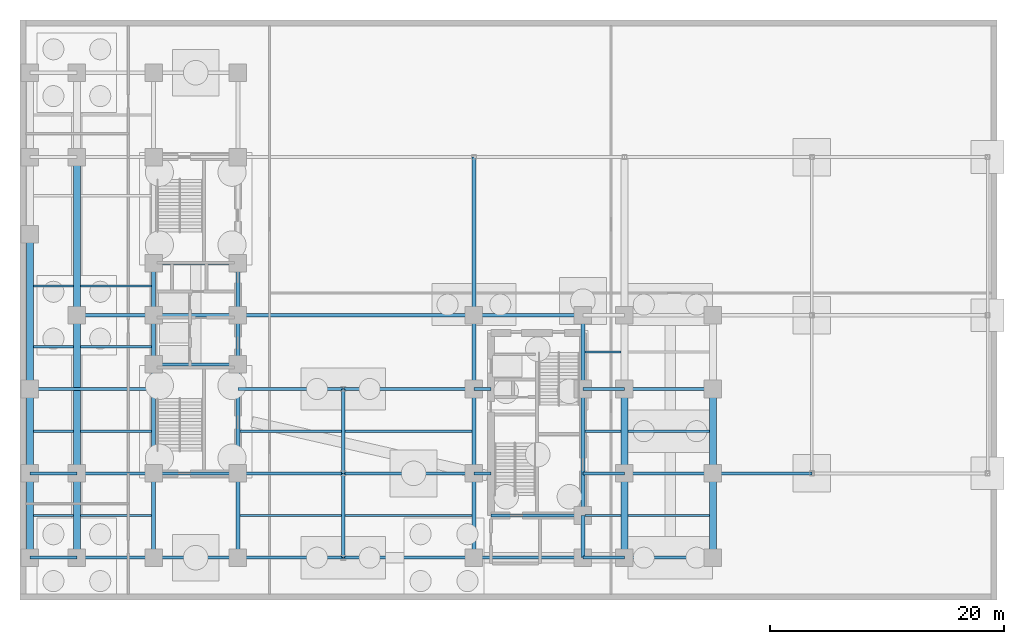
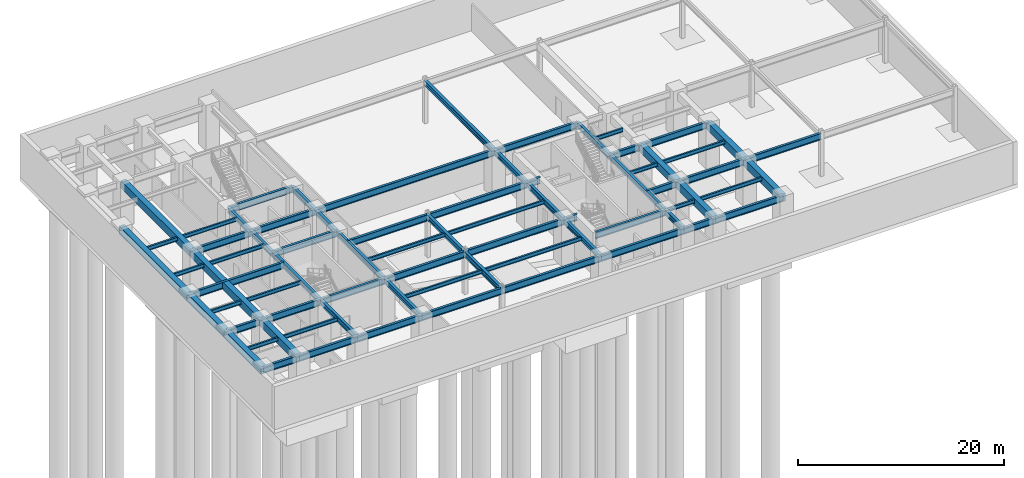
# One storey, part 4 of 11: 74 beams.
"""IFC4 building model written with IfcOpenShell, lengths in metres."""

import ifcopenshell
import ifcopenshell.guid

model = None  # the IFC model being written
_history = None  # IfcOwnerHistory: only IFC2X3 demands one
_inside = {}  # id of a spatial element -> (the spatial element, [elements in it])
_under = {}  # id of a project, library or spatial element -> (it, [spatial elements below it])
_declared = {}  # id of a project -> (the project, [libraries it declares])
_typed = {}  # id of a type object -> (the type object, [elements of that type])
_made_of = {}  # id of a material, layer set ... -> (it, [elements and type objects made of it])


def new_model(schema):
    """Start an empty IFC model of exactly this schema.

    Asked for "IFC4X3", IfcOpenShell would pick the latest addendum, in which some entities
    have other attributes; the version numbers below select the first issue.
    IFC2X3 requires an IfcOwnerHistory on every rooted entity: one is made here for all.
    """
    global model, _history
    if schema == "IFC4X3":
        model = ifcopenshell.file(schema_version=(4, 3, 0, 0))
    else:
        model = ifcopenshell.file(schema=schema)
    _inside.clear()
    _under.clear()
    _declared.clear()
    _typed.clear()
    _made_of.clear()
    _history = None
    if model.schema == "IFC2X3":
        org = make("IfcOrganization", Name="unknown")
        user = make(
            "IfcPersonAndOrganization",
            ThePerson=make("IfcPerson", FamilyName="unknown"),
            TheOrganization=org,
        )
        app = make(
            "IfcApplication",
            ApplicationDeveloper=org,
            Version="unknown",
            ApplicationFullName="unknown",
            ApplicationIdentifier="unknown",
        )
        _history = make(
            "IfcOwnerHistory",
            OwningUser=user,
            OwningApplication=app,
            ChangeAction="ADDED",
            CreationDate=0,
        )
    return model


def make(cls, **values):
    """One entity of the class cls with the attributes given. An attribute that is None is left unset."""
    return model.create_entity(
        cls, **{name: value for name, value in values.items() if value is not None}
    )


def entity(cls, *values):
    """Any entity or typed value of the class cls, its attributes in the order of the schema. None: left unset."""
    e = model.create_entity(cls)
    for i, value in enumerate(values):
        if value is not None:
            e[i] = value
    return e


def rooted(cls, **values):
    """An entity with a GlobalId (a new one), such as an element, a storey or a relation."""
    return make(cls, GlobalId=ifcopenshell.guid.new(), OwnerHistory=_history, **values)


def si_unit(unit_type, name, prefix=None):
    """IfcSIUnit, for example si_unit("LENGTHUNIT", "METRE", prefix="MILLI")."""
    return make("IfcSIUnit", UnitType=unit_type, Prefix=prefix, Name=name)


def converted_unit(unit_type, name, factor, base, dimensions=None, offset=None):
    """IfcConversionBasedUnit, such as the inch: factor (a typed value) times the base unit."""
    return make(
        "IfcConversionBasedUnit"
        if offset is None
        else "IfcConversionBasedUnitWithOffset",
        ConversionOffset=offset,
        Dimensions=None
        if dimensions is None
        else entity("IfcDimensionalExponents", *dimensions),
        UnitType=unit_type,
        Name=name,
        ConversionFactor=make(
            "IfcMeasureWithUnit", ValueComponent=factor, UnitComponent=base
        ),
    )


def assignment(units):
    """IfcUnitAssignment: the units of a project."""
    return None if units is None else make("IfcUnitAssignment", Units=units)


def point(xyz):
    """IfcCartesianPoint."""
    return None if xyz is None else make("IfcCartesianPoint", Coordinates=xyz)


def direction(xyz):
    """IfcDirection."""
    return None if xyz is None else make("IfcDirection", DirectionRatios=xyz)


def frame(location, z_axis=None, x_axis=None):
    """IfcAxis2Placement3D, a coordinate frame: its origin and axes. An axis left out is left unset."""
    return make(
        "IfcAxis2Placement3D",
        Location=point(location),
        Axis=direction(z_axis),
        RefDirection=direction(x_axis),
    )


def frame_2d(location, x_axis=None):
    """IfcAxis2Placement2D, a coordinate frame in the plane: its origin and x axis."""
    return make(
        "IfcAxis2Placement2D", Location=point(location), RefDirection=direction(x_axis)
    )


def origin_with_axes():
    """The frame at (0, 0, 0) with the z axis (0, 0, 1) and the x axis (1, 0, 0) written out."""
    return frame((0.0, 0.0, 0.0), z_axis=(0.0, 0.0, 1.0), x_axis=(1.0, 0.0, 0.0))


def origin_2d_with_axis():
    """The frame at (0, 0) in the plane with the x axis (1, 0) written out."""
    return frame_2d((0.0, 0.0), x_axis=(1.0, 0.0))


def place(relative_to, where):
    """IfcLocalPlacement: puts the frame where relative to a parent placement (None: the world)."""
    return make(
        "IfcLocalPlacement", PlacementRelTo=relative_to, RelativePlacement=where
    )


def context(
    kind, dimensions, precision=None, world=None, true_north=None, identifier=None
):
    """IfcGeometricRepresentationContext, for example the 3D "Model" context."""
    return make(
        "IfcGeometricRepresentationContext",
        ContextIdentifier=identifier,
        ContextType=kind,
        CoordinateSpaceDimension=dimensions,
        Precision=precision,
        WorldCoordinateSystem=world,
        TrueNorth=true_north,
    )


def subcontext(parent, identifier, kind, view, scale=None):
    """IfcGeometricRepresentationSubContext, for example "Body" below "Model"."""
    return make(
        "IfcGeometricRepresentationSubContext",
        ContextIdentifier=identifier,
        ContextType=kind,
        ParentContext=parent,
        TargetScale=scale,
        TargetView=view,
    )


def project(units=None, contexts=None):
    """IfcProject with its units and contexts."""
    return rooted(
        "IfcProject",
        Name="project",
        RepresentationContexts=contexts,
        UnitsInContext=assignment(units),
    )


def spatial(cls, under=None, at=None, **own):
    """A site, building, storey or space (cls), placed at a placement, below another one or the project."""
    s = rooted(cls, ObjectPlacement=at, **own)
    if under is not None:
        _under.setdefault(under.id(), (under, []))[1].append(s)
    return s


def profile(cls, at=None, kind="AREA", **sizes):
    """A parametric profile (cls). Its sizes go by their IFC names, for example OverallWidth=200.0."""
    return make(cls, ProfileType=kind, Position=at, **sizes)


def rectangle(**sizes):
    """IfcRectangleProfileDef."""
    return profile("IfcRectangleProfileDef", **sizes)


def i_section(**sizes):
    """IfcIShapeProfileDef."""
    return profile("IfcIShapeProfileDef", **sizes)


def extrude(swept, where, along, depth):
    """IfcExtrudedAreaSolid: the profile swept, set in the frame where, extruded along a direction by depth."""
    return make(
        "IfcExtrudedAreaSolid",
        SweptArea=swept,
        Position=where,
        ExtrudedDirection=direction(along),
        Depth=depth,
    )


def shape(context_of_items, identifier, shape_type, items):
    """IfcShapeRepresentation: the items that make up one representation, for example the "Body"."""
    return make(
        "IfcShapeRepresentation",
        ContextOfItems=context_of_items,
        RepresentationIdentifier=identifier,
        RepresentationType=shape_type,
        Items=items,
    )


def material(Name=None, Category=None):
    """IfcMaterial."""
    return make("IfcMaterial", Name=Name, Category=Category)


def material_profile(
    of_material, cross_section, Name=None, Category=None, Priority=None
):
    """IfcMaterialProfile: a cross section and its material."""
    return make(
        "IfcMaterialProfile",
        Name=Name,
        Material=of_material,
        Profile=cross_section,
        Priority=Priority,
        Category=Category,
    )


def profile_set(profiles, Name=None, composite=None):
    """IfcMaterialProfileSet."""
    return make(
        "IfcMaterialProfileSet",
        Name=Name,
        MaterialProfiles=profiles,
        CompositeProfile=composite,
    )


def made_of(thing, what):
    """Note that an element or type object is made of a material, layer set ...; save() writes the relation."""
    if what is not None:
        _made_of.setdefault(what.id(), (what, []))[1].append(thing)
    return thing


def type_object(cls, material=None, **own):
    """A type object (cls), such as IfcWallType, which elements share."""
    return made_of(rooted(cls, **own), material)


def element(
    cls,
    number,
    at=None,
    inside=None,
    cuts=None,
    type_object=None,
    material=None,
    context=None,
    identifier="Body",
    shape_type=None,
    held_by="IfcProductDefinitionShape",
    body=None,
    shapes=None,
    **own,
):
    """One element of the class cls, such as IfcWall. Its Tag is "e" and its number.

    at: its placement. inside: the storey or other place that contains it. cuts: it is an
    opening in that element (IfcRelVoidsElement). A single representation is given by context,
    identifier, shape_type and body (its items); several are given by shapes. held_by: the class
    of the entity that holds the representations. save() writes the other relations.
    """
    e = rooted(cls, Tag="e%d" % number, ObjectPlacement=at, **own)
    if body is not None:
        shapes = [shape(context, identifier, shape_type, body)]
    if shapes is not None:
        e.Representation = make(held_by, Representations=shapes)
    if inside is not None:
        _inside.setdefault(inside.id(), (inside, []))[1].append(e)
    if cuts is not None:
        rooted(
            "IfcRelVoidsElement", RelatingBuildingElement=cuts, RelatedOpeningElement=e
        )
    if type_object is not None:
        _typed.setdefault(type_object.id(), (type_object, []))[1].append(e)
    return made_of(e, material)


def aggregate(whole, parts):
    """IfcRelAggregates: a whole, such as a stair, and the parts it consists of."""
    return rooted("IfcRelAggregates", RelatingObject=whole, RelatedObjects=parts)


def save(model, path):
    """Write the relations noted so far, then the file.

    IfcRelAggregates (storeys below a building ...), IfcRelContainedInSpatialStructure (elements
    in a storey), IfcRelDefinesByType, IfcRelAssociatesMaterial and IfcRelDeclares: one each for
    every whole, place, type object, material and project.
    """
    for whole, parts in _under.values():
        aggregate(whole, parts)
    for where, things in _inside.values():
        rooted(
            "IfcRelContainedInSpatialStructure",
            RelatedElements=things,
            RelatingStructure=where,
        )
    for kind, things in _typed.values():
        rooted("IfcRelDefinesByType", RelatedObjects=things, RelatingType=kind)
    for what, things in _made_of.values():
        rooted("IfcRelAssociatesMaterial", RelatedObjects=things, RelatingMaterial=what)
    for by, libraries in _declared.values():
        rooted("IfcRelDeclares", RelatingContext=by, RelatedDefinitions=libraries)
    model.write(path)


model = new_model("IFC4")

# Units and contexts
model_context = context("Model", 3, precision=1e-05, world=origin_with_axes(), true_north=direction((0.0, 1.0)))
body_context = subcontext(model_context, "Body", "Model", "MODEL_VIEW")
ifc_project = project(units=[si_unit("LENGTHUNIT", "METRE"), si_unit("AREAUNIT", "SQUARE_METRE"), si_unit("VOLUMEUNIT", "CUBIC_METRE"), converted_unit("PLANEANGLEUNIT", "DEGREE", entity("IfcPlaneAngleMeasure", 0.017453292519943295), si_unit("PLANEANGLEUNIT", "RADIAN"), dimensions=[0, 0, 0, 0, 0, 0, 0]), si_unit("MASSUNIT", "GRAM", prefix="KILO"), si_unit("THERMODYNAMICTEMPERATUREUNIT", "KELVIN")], contexts=[model_context])

# Site, building, storey
site_placement = place(None, origin_with_axes())
site = spatial("IfcSite", under=ifc_project, at=site_placement, CompositionType="ELEMENT")
building_placement = place(site_placement, origin_with_axes())
building = spatial("IfcBuilding", under=site, at=building_placement, Name="Varnlund Millrace Tower", CompositionType="ELEMENT")
storey_placement = place(building_placement, frame((0.0, 0.0, -10.2), z_axis=(0.0, 0.0, 1.0), x_axis=(1.0, 0.0, 0.0)))
storey = spatial("IfcBuildingStorey", under=building, at=storey_placement, Name="B2", CompositionType="ELEMENT", Elevation=-10.2)

# Beams
ifc_material_1 = material(Name="Steel ASTM A992 Grade 50", Category="steel")
ifc_material_profile_1 = material_profile(ifc_material_1, i_section(OverallWidth=0.328, OverallDepth=0.628, WebThickness=0.0165, FlangeThickness=0.0277, FilletRadius=0.018, at=origin_2d_with_axis()), Name="Steel ASTM A992 Grade 50")
ifc_profile_set_1 = profile_set([ifc_material_profile_1], Name="Steel ASTM A992 Grade 50")
beam_type_1 = type_object("IfcBeamType", Name="Type-Girder-W24X146", PredefinedType="USERDEFINED", material=ifc_profile_set_1)
beam_1_placement = place(storey_placement, frame((11.4, 3.6, 4.766), z_axis=(0.0, 1.0, 0.0), x_axis=(-1.0, 0.0, 0.0)))
element("IfcBeam", 1, at=beam_1_placement, inside=storey, type_object=beam_type_1, Name="Type-Girder-W24X146", ObjectType="GIRDER", PredefinedType="USERDEFINED", context=body_context, shape_type="SweptSolid", body=[
    extrude(i_section(OverallWidth=0.328, OverallDepth=0.628, WebThickness=0.0165, FlangeThickness=0.0277, FilletRadius=0.018, at=origin_2d_with_axis()), origin_with_axes(), (0.0, 0.0, 1.0), 7.2),
])
beam_2_placement = place(storey_placement, frame((11.4, 10.8, 4.766), z_axis=(0.0, 1.0, 0.0), x_axis=(-1.0, 0.0, 0.0)))
element("IfcBeam", 2, at=beam_2_placement, inside=storey, type_object=beam_type_1, Name="Type-Girder-W24X146", ObjectType="GIRDER", PredefinedType="USERDEFINED", context=body_context, shape_type="SweptSolid", body=[
    extrude(i_section(OverallWidth=0.328, OverallDepth=0.628, WebThickness=0.0165, FlangeThickness=0.0277, FilletRadius=0.018, at=origin_2d_with_axis()), origin_with_axes(), (0.0, 0.0, 1.0), 9.3),
])
beam_3_placement = place(storey_placement, frame((11.4, 20.1, 4.766), z_axis=(0.0, 1.0, 0.0), x_axis=(-1.0, 0.0, 0.0)))
element("IfcBeam", 3, at=beam_3_placement, inside=storey, type_object=beam_type_1, Name="Type-Girder-W24X146", ObjectType="GIRDER", PredefinedType="USERDEFINED", context=body_context, shape_type="SweptSolid", body=[
    extrude(i_section(OverallWidth=0.328, OverallDepth=0.628, WebThickness=0.0165, FlangeThickness=0.0277, FilletRadius=0.018, at=origin_2d_with_axis()), origin_with_axes(), (0.0, 0.0, 1.0), 4.2),
])
beam_4_placement = place(storey_placement, frame((11.4, 24.3, 4.766), z_axis=(0.0, 1.0, 0.0), x_axis=(-1.0, 0.0, 0.0)))
element("IfcBeam", 4, at=beam_4_placement, inside=storey, type_object=beam_type_1, Name="Type-Girder-W24X146", ObjectType="GIRDER", PredefinedType="USERDEFINED", context=body_context, shape_type="SweptSolid", body=[
    extrude(i_section(OverallWidth=0.328, OverallDepth=0.628, WebThickness=0.0165, FlangeThickness=0.0277, FilletRadius=0.018, at=origin_2d_with_axis()), origin_with_axes(), (0.0, 0.0, 1.0), 4.45),
])
beam_5_placement = place(storey_placement, frame((18.6, 3.6, 4.766), z_axis=(0.0, 1.0, 0.0), x_axis=(-1.0, 0.0, 0.0)))
element("IfcBeam", 5, at=beam_5_placement, inside=storey, type_object=beam_type_1, Name="Type-Girder-W24X146", ObjectType="GIRDER", PredefinedType="USERDEFINED", context=body_context, shape_type="SweptSolid", body=[
    extrude(i_section(OverallWidth=0.328, OverallDepth=0.628, WebThickness=0.0165, FlangeThickness=0.0277, FilletRadius=0.018, at=origin_2d_with_axis()), origin_with_axes(), (0.0, 0.0, 1.0), 7.2),
])
beam_6_placement = place(storey_placement, frame((18.6, 10.8, 4.766), z_axis=(0.0, 1.0, 0.0), x_axis=(-1.0, 0.0, 0.0)))
element("IfcBeam", 6, at=beam_6_placement, inside=storey, type_object=beam_type_1, Name="Type-Girder-W24X146", ObjectType="GIRDER", PredefinedType="USERDEFINED", context=body_context, shape_type="SweptSolid", body=[
    extrude(i_section(OverallWidth=0.328, OverallDepth=0.628, WebThickness=0.0165, FlangeThickness=0.0277, FilletRadius=0.018, at=origin_2d_with_axis()), origin_with_axes(), (0.0, 0.0, 1.0), 9.3),
])
beam_7_placement = place(storey_placement, frame((18.6, 20.1, 4.766), z_axis=(0.0, 1.0, 0.0), x_axis=(-1.0, 0.0, 0.0)))
element("IfcBeam", 7, at=beam_7_placement, inside=storey, type_object=beam_type_1, Name="Type-Girder-W24X146", ObjectType="GIRDER", PredefinedType="USERDEFINED", context=body_context, shape_type="SweptSolid", body=[
    extrude(i_section(OverallWidth=0.328, OverallDepth=0.628, WebThickness=0.0165, FlangeThickness=0.0277, FilletRadius=0.018, at=origin_2d_with_axis()), origin_with_axes(), (0.0, 0.0, 1.0), 4.2),
])
beam_8_placement = place(storey_placement, frame((18.6, 24.3, 4.766), z_axis=(0.0, 1.0, 0.0), x_axis=(-1.0, 0.0, 0.0)))
element("IfcBeam", 8, at=beam_8_placement, inside=storey, type_object=beam_type_1, Name="Type-Girder-W24X146", ObjectType="GIRDER", PredefinedType="USERDEFINED", context=body_context, shape_type="SweptSolid", body=[
    extrude(i_section(OverallWidth=0.328, OverallDepth=0.628, WebThickness=0.0165, FlangeThickness=0.0277, FilletRadius=0.018, at=origin_2d_with_axis()), origin_with_axes(), (0.0, 0.0, 1.0), 4.45),
])
for number, where, z_axis, x_axis, name in (
    (9, (27.6, 3.6, 4.766), (0.0, 1.0, 0.0), (-1.0, 0.0, 0.0), "Type-Girder-W24X146"),
    (10, (27.6, 10.8, 4.766), (0.0, 1.0, 0.0), (-1.0, 0.0, 0.0), "Type-Girder-W24X146"),
    (11, (38.75, 3.6, 4.766), (0.0, 1.0, 0.0), (-1.0, 0.0, 0.0), "Type-Girder-W24X146"),
    (12, (38.75, 10.8, 4.766), (0.0, 1.0, 0.0), (-1.0, 0.0, 0.0), "Type-Girder-W24X146"),
):
    element("IfcBeam", number, at=place(storey_placement, frame(where, z_axis=z_axis, x_axis=x_axis)), inside=storey, type_object=beam_type_1, Name=name, ObjectType="GIRDER", PredefinedType="USERDEFINED", context=body_context, shape_type="SweptSolid", body=[
        extrude(i_section(OverallWidth=0.328, OverallDepth=0.628, WebThickness=0.0165, FlangeThickness=0.0277, FilletRadius=0.018, at=origin_2d_with_axis()), origin_with_axes(), (0.0, 0.0, 1.0), 7.2),
    ])
beam_9_placement = place(storey_placement, frame((38.75, 18.0, 4.766), z_axis=(0.0, 1.0, 0.0), x_axis=(-1.0, 0.0, 0.0)))
element("IfcBeam", 13, at=beam_9_placement, inside=storey, type_object=beam_type_1, Name="Type-Girder-W24X146", ObjectType="GIRDER", PredefinedType="USERDEFINED", context=body_context, shape_type="SweptSolid", body=[
    extrude(i_section(OverallWidth=0.328, OverallDepth=0.628, WebThickness=0.0165, FlangeThickness=0.0277, FilletRadius=0.018, at=origin_2d_with_axis()), origin_with_axes(), (0.0, 0.0, 1.0), 6.3),
])
beam_10_placement = place(storey_placement, frame((38.75, 24.3, 4.766), z_axis=(0.0, 1.0, 0.0), x_axis=(-1.0, 0.0, 0.0)))
element("IfcBeam", 14, at=beam_10_placement, inside=storey, type_object=beam_type_1, Name="Type-Girder-W24X146", ObjectType="GIRDER", PredefinedType="USERDEFINED", context=body_context, shape_type="SweptSolid", body=[
    extrude(i_section(OverallWidth=0.328, OverallDepth=0.628, WebThickness=0.0165, FlangeThickness=0.0277, FilletRadius=0.018, at=origin_2d_with_axis()), origin_with_axes(), (0.0, 0.0, 1.0), 13.5),
])
beam_11_placement = place(storey_placement, frame((48.05, 3.6, 4.766), z_axis=(0.0, 1.0, 0.0), x_axis=(-1.0, 0.0, 0.0)))
element("IfcBeam", 15, at=beam_11_placement, inside=storey, type_object=beam_type_1, Name="Type-Girder-W24X146", ObjectType="GIRDER", PredefinedType="USERDEFINED", context=body_context, shape_type="SweptSolid", body=[
    extrude(i_section(OverallWidth=0.328, OverallDepth=0.628, WebThickness=0.0165, FlangeThickness=0.0277, FilletRadius=0.018, at=origin_2d_with_axis()), origin_with_axes(), (0.0, 0.0, 1.0), 3.6),
])
beam_12_placement = place(storey_placement, frame((48.05, 7.2, 4.766), z_axis=(0.0, 1.0, 0.0), x_axis=(-1.0, 0.0, 0.0)))
element("IfcBeam", 16, at=beam_12_placement, inside=storey, type_object=beam_type_1, Name="Type-Girder-W24X146", ObjectType="GIRDER", PredefinedType="USERDEFINED", context=body_context, shape_type="SweptSolid", body=[
    extrude(i_section(OverallWidth=0.328, OverallDepth=0.628, WebThickness=0.0165, FlangeThickness=0.0277, FilletRadius=0.018, at=origin_2d_with_axis()), origin_with_axes(), (0.0, 0.0, 1.0), 10.8),
])
beam_13_placement = place(storey_placement, frame((48.05, 18.0, 4.766), z_axis=(0.0, 1.0, 0.0), x_axis=(-1.0, 0.0, 0.0)))
element("IfcBeam", 17, at=beam_13_placement, inside=storey, type_object=beam_type_1, Name="Type-Girder-W24X146", ObjectType="GIRDER", PredefinedType="USERDEFINED", context=body_context, shape_type="SweptSolid", body=[
    extrude(i_section(OverallWidth=0.328, OverallDepth=0.628, WebThickness=0.0165, FlangeThickness=0.0277, FilletRadius=0.018, at=origin_2d_with_axis()), origin_with_axes(), (0.0, 0.0, 1.0), 6.3),
])
ifc_material_profile_2 = material_profile(ifc_material_1, i_section(OverallWidth=0.266, OverallDepth=0.779, WebThickness=0.0165, FlangeThickness=0.03, FilletRadius=0.02, at=origin_2d_with_axis()), Name="Steel ASTM A992 Grade 50")
ifc_profile_set_2 = profile_set([ifc_material_profile_2], Name="Steel ASTM A992 Grade 50")
beam_type_2 = type_object("IfcBeamType", Name="Type-Girder-W30X148", PredefinedType="USERDEFINED", material=ifc_profile_set_2)
beam_14_placement = place(storey_placement, frame((0.85, 3.6, 4.6905), z_axis=(1.0, 0.0, 0.0), x_axis=(0.0, 1.0, 0.0)))
element("IfcBeam", 18, at=beam_14_placement, inside=storey, type_object=beam_type_2, Name="Type-Girder-W30X148", ObjectType="GIRDER", PredefinedType="USERDEFINED", context=body_context, shape_type="SweptSolid", body=[
    extrude(i_section(OverallWidth=0.266, OverallDepth=0.779, WebThickness=0.0165, FlangeThickness=0.03, FilletRadius=0.02, at=origin_2d_with_axis()), origin_with_axes(), (0.0, 0.0, 1.0), 4.0),
])
beam_15_placement = place(storey_placement, frame((4.85, 3.6, 4.6905), z_axis=(1.0, 0.0, 0.0), x_axis=(0.0, 1.0, 0.0)))
element("IfcBeam", 19, at=beam_15_placement, inside=storey, type_object=beam_type_2, Name="Type-Girder-W30X148", ObjectType="GIRDER", PredefinedType="USERDEFINED", context=body_context, shape_type="SweptSolid", body=[
    extrude(i_section(OverallWidth=0.266, OverallDepth=0.779, WebThickness=0.0165, FlangeThickness=0.03, FilletRadius=0.02, at=origin_2d_with_axis()), origin_with_axes(), (0.0, 0.0, 1.0), 6.55),
])
beam_16_placement = place(storey_placement, frame((11.4, 3.6, 4.6905), z_axis=(1.0, 0.0, 0.0), x_axis=(0.0, 1.0, 0.0)))
element("IfcBeam", 20, at=beam_16_placement, inside=storey, type_object=beam_type_2, Name="Type-Girder-W30X148", ObjectType="GIRDER", PredefinedType="USERDEFINED", context=body_context, shape_type="SweptSolid", body=[
    extrude(i_section(OverallWidth=0.266, OverallDepth=0.779, WebThickness=0.0165, FlangeThickness=0.03, FilletRadius=0.02, at=origin_2d_with_axis()), origin_with_axes(), (0.0, 0.0, 1.0), 7.2),
])
beam_17_placement = place(storey_placement, frame((18.6, 3.6, 4.6905), z_axis=(1.0, 0.0, 0.0), x_axis=(0.0, 1.0, 0.0)))
element("IfcBeam", 21, at=beam_17_placement, inside=storey, type_object=beam_type_2, Name="Type-Girder-W30X148", ObjectType="GIRDER", PredefinedType="USERDEFINED", context=body_context, shape_type="SweptSolid", body=[
    extrude(i_section(OverallWidth=0.266, OverallDepth=0.779, WebThickness=0.0165, FlangeThickness=0.03, FilletRadius=0.02, at=origin_2d_with_axis()), origin_with_axes(), (0.0, 0.0, 1.0), 9.0),
])
beam_18_placement = place(storey_placement, frame((27.6, 3.6, 4.6905), z_axis=(1.0, 0.0, 0.0), x_axis=(0.0, 1.0, 0.0)))
element("IfcBeam", 22, at=beam_18_placement, inside=storey, type_object=beam_type_2, Name="Type-Girder-W30X148", ObjectType="GIRDER", PredefinedType="USERDEFINED", context=body_context, shape_type="SweptSolid", body=[
    extrude(i_section(OverallWidth=0.266, OverallDepth=0.779, WebThickness=0.0165, FlangeThickness=0.03, FilletRadius=0.02, at=origin_2d_with_axis()), origin_with_axes(), (0.0, 0.0, 1.0), 11.15),
])
beam_19_placement = place(storey_placement, frame((38.75, 3.6, 4.6905), z_axis=(1.0, 0.0, 0.0), x_axis=(0.0, 1.0, 0.0)))
element("IfcBeam", 23, at=beam_19_placement, inside=storey, type_object=beam_type_2, Name="Type-Girder-W30X148", ObjectType="GIRDER", PredefinedType="USERDEFINED", context=body_context, shape_type="SweptSolid", body=[
    extrude(i_section(OverallWidth=0.266, OverallDepth=0.779, WebThickness=0.0165, FlangeThickness=0.03, FilletRadius=0.02, at=origin_2d_with_axis()), origin_with_axes(), (0.0, 0.0, 1.0), 9.3),
])
beam_20_placement = place(storey_placement, frame((48.05, 3.6, 4.6905), z_axis=(1.0, 0.0, 0.0), x_axis=(0.0, 1.0, 0.0)))
element("IfcBeam", 24, at=beam_20_placement, inside=storey, type_object=beam_type_2, Name="Type-Girder-W30X148", ObjectType="GIRDER", PredefinedType="USERDEFINED", context=body_context, shape_type="SweptSolid", body=[
    extrude(i_section(OverallWidth=0.266, OverallDepth=0.779, WebThickness=0.0165, FlangeThickness=0.03, FilletRadius=0.02, at=origin_2d_with_axis()), origin_with_axes(), (0.0, 0.0, 1.0), 3.55),
])
beam_21_placement = place(storey_placement, frame((51.6, 3.6, 4.6905), z_axis=(1.0, 0.0, 0.0), x_axis=(0.0, 1.0, 0.0)))
element("IfcBeam", 25, at=beam_21_placement, inside=storey, type_object=beam_type_2, Name="Type-Girder-W30X148", ObjectType="GIRDER", PredefinedType="USERDEFINED", context=body_context, shape_type="SweptSolid", body=[
    extrude(i_section(OverallWidth=0.266, OverallDepth=0.779, WebThickness=0.0165, FlangeThickness=0.03, FilletRadius=0.02, at=origin_2d_with_axis()), origin_with_axes(), (0.0, 0.0, 1.0), 7.55),
])
beam_22_placement = place(storey_placement, frame((40.2, 7.2, 4.6905), z_axis=(1.0, 0.0, 0.0), x_axis=(0.0, 1.0, 0.0)))
element("IfcBeam", 26, at=beam_22_placement, inside=storey, type_object=beam_type_2, Name="Type-Girder-W30X148", ObjectType="GIRDER", PredefinedType="USERDEFINED", context=body_context, shape_type="SweptSolid", body=[
    extrude(i_section(OverallWidth=0.266, OverallDepth=0.779, WebThickness=0.0165, FlangeThickness=0.03, FilletRadius=0.02, at=origin_2d_with_axis()), origin_with_axes(), (0.0, 0.0, 1.0), 7.85),
])
beam_23_placement = place(storey_placement, frame((0.85, 10.8, 4.6905), z_axis=(1.0, 0.0, 0.0), x_axis=(0.0, 1.0, 0.0)))
element("IfcBeam", 27, at=beam_23_placement, inside=storey, type_object=beam_type_2, Name="Type-Girder-W30X148", ObjectType="GIRDER", PredefinedType="USERDEFINED", context=body_context, shape_type="SweptSolid", body=[
    extrude(i_section(OverallWidth=0.266, OverallDepth=0.779, WebThickness=0.0165, FlangeThickness=0.03, FilletRadius=0.02, at=origin_2d_with_axis()), origin_with_axes(), (0.0, 0.0, 1.0), 4.0),
])
beam_24_placement = place(storey_placement, frame((4.85, 10.8, 4.6905), z_axis=(1.0, 0.0, 0.0), x_axis=(0.0, 1.0, 0.0)))
element("IfcBeam", 28, at=beam_24_placement, inside=storey, type_object=beam_type_2, Name="Type-Girder-W30X148", ObjectType="GIRDER", PredefinedType="USERDEFINED", context=body_context, shape_type="SweptSolid", body=[
    extrude(i_section(OverallWidth=0.266, OverallDepth=0.779, WebThickness=0.0165, FlangeThickness=0.03, FilletRadius=0.02, at=origin_2d_with_axis()), origin_with_axes(), (0.0, 0.0, 1.0), 6.55),
])
beam_25_placement = place(storey_placement, frame((11.4, 10.8, 4.6905), z_axis=(1.0, 0.0, 0.0), x_axis=(0.0, 1.0, 0.0)))
element("IfcBeam", 29, at=beam_25_placement, inside=storey, type_object=beam_type_2, Name="Type-Girder-W30X148", ObjectType="GIRDER", PredefinedType="USERDEFINED", context=body_context, shape_type="SweptSolid", body=[
    extrude(i_section(OverallWidth=0.266, OverallDepth=0.779, WebThickness=0.0165, FlangeThickness=0.03, FilletRadius=0.02, at=origin_2d_with_axis()), origin_with_axes(), (0.0, 0.0, 1.0), 7.2),
])
beam_26_placement = place(storey_placement, frame((18.6, 10.8, 4.6905), z_axis=(1.0, 0.0, 0.0), x_axis=(0.0, 1.0, 0.0)))
element("IfcBeam", 30, at=beam_26_placement, inside=storey, type_object=beam_type_2, Name="Type-Girder-W30X148", ObjectType="GIRDER", PredefinedType="USERDEFINED", context=body_context, shape_type="SweptSolid", body=[
    extrude(i_section(OverallWidth=0.266, OverallDepth=0.779, WebThickness=0.0165, FlangeThickness=0.03, FilletRadius=0.02, at=origin_2d_with_axis()), origin_with_axes(), (0.0, 0.0, 1.0), 9.0),
])
beam_27_placement = place(storey_placement, frame((27.6, 10.8, 4.6905), z_axis=(1.0, 0.0, 0.0), x_axis=(0.0, 1.0, 0.0)))
element("IfcBeam", 31, at=beam_27_placement, inside=storey, type_object=beam_type_2, Name="Type-Girder-W30X148", ObjectType="GIRDER", PredefinedType="USERDEFINED", context=body_context, shape_type="SweptSolid", body=[
    extrude(i_section(OverallWidth=0.266, OverallDepth=0.779, WebThickness=0.0165, FlangeThickness=0.03, FilletRadius=0.02, at=origin_2d_with_axis()), origin_with_axes(), (0.0, 0.0, 1.0), 11.15),
])
beam_28_placement = place(storey_placement, frame((38.75, 10.8, 4.6905), z_axis=(1.0, 0.0, 0.0), x_axis=(0.0, 1.0, 0.0)))
element("IfcBeam", 32, at=beam_28_placement, inside=storey, type_object=beam_type_2, Name="Type-Girder-W30X148", ObjectType="GIRDER", PredefinedType="USERDEFINED", context=body_context, shape_type="SweptSolid", body=[
    extrude(i_section(OverallWidth=0.266, OverallDepth=0.779, WebThickness=0.0165, FlangeThickness=0.03, FilletRadius=0.02, at=origin_2d_with_axis()), origin_with_axes(), (0.0, 0.0, 1.0), 1.45),
])
beam_29_placement = place(storey_placement, frame((48.05, 10.8, 4.6905), z_axis=(1.0, 0.0, 0.0), x_axis=(0.0, 1.0, 0.0)))
element("IfcBeam", 33, at=beam_29_placement, inside=storey, type_object=beam_type_2, Name="Type-Girder-W30X148", ObjectType="GIRDER", PredefinedType="USERDEFINED", context=body_context, shape_type="SweptSolid", body=[
    extrude(i_section(OverallWidth=0.266, OverallDepth=0.779, WebThickness=0.0165, FlangeThickness=0.03, FilletRadius=0.02, at=origin_2d_with_axis()), origin_with_axes(), (0.0, 0.0, 1.0), 3.55),
])
beam_30_placement = place(storey_placement, frame((51.6, 10.8, 4.6905), z_axis=(1.0, 0.0, 0.0), x_axis=(0.0, 1.0, 0.0)))
element("IfcBeam", 34, at=beam_30_placement, inside=storey, type_object=beam_type_2, Name="Type-Girder-W30X148", ObjectType="GIRDER", PredefinedType="USERDEFINED", context=body_context, shape_type="SweptSolid", body=[
    extrude(i_section(OverallWidth=0.266, OverallDepth=0.779, WebThickness=0.0165, FlangeThickness=0.03, FilletRadius=0.02, at=origin_2d_with_axis()), origin_with_axes(), (0.0, 0.0, 1.0), 7.55),
])
beam_31_placement = place(storey_placement, frame((59.15, 10.8, 4.6905), z_axis=(1.0, 0.0, 0.0), x_axis=(0.0, 1.0, 0.0)))
element("IfcBeam", 35, at=beam_31_placement, inside=storey, type_object=beam_type_2, Name="Type-Girder-W30X148", ObjectType="GIRDER", PredefinedType="USERDEFINED", context=body_context, shape_type="SweptSolid", body=[
    extrude(i_section(OverallWidth=0.266, OverallDepth=0.779, WebThickness=0.0165, FlangeThickness=0.03, FilletRadius=0.02, at=origin_2d_with_axis()), origin_with_axes(), (0.0, 0.0, 1.0), 8.45),
])
beam_32_placement = place(storey_placement, frame((0.85, 18.0, 4.6905), z_axis=(1.0, 0.0, 0.0), x_axis=(0.0, 1.0, 0.0)))
element("IfcBeam", 36, at=beam_32_placement, inside=storey, type_object=beam_type_2, Name="Type-Girder-W30X148", ObjectType="GIRDER", PredefinedType="USERDEFINED", context=body_context, shape_type="SweptSolid", body=[
    extrude(i_section(OverallWidth=0.266, OverallDepth=0.779, WebThickness=0.0165, FlangeThickness=0.03, FilletRadius=0.02, at=origin_2d_with_axis()), origin_with_axes(), (0.0, 0.0, 1.0), 10.55),
])
beam_33_placement = place(storey_placement, frame((18.6, 18.0, 4.6905), z_axis=(1.0, 0.0, 0.0), x_axis=(0.0, 1.0, 0.0)))
element("IfcBeam", 37, at=beam_33_placement, inside=storey, type_object=beam_type_2, Name="Type-Girder-W30X148", ObjectType="GIRDER", PredefinedType="USERDEFINED", context=body_context, shape_type="SweptSolid", body=[
    extrude(i_section(OverallWidth=0.266, OverallDepth=0.779, WebThickness=0.0165, FlangeThickness=0.03, FilletRadius=0.02, at=origin_2d_with_axis()), origin_with_axes(), (0.0, 0.0, 1.0), 9.0),
])
beam_34_placement = place(storey_placement, frame((27.6, 18.0, 4.6905), z_axis=(1.0, 0.0, 0.0), x_axis=(0.0, 1.0, 0.0)))
element("IfcBeam", 38, at=beam_34_placement, inside=storey, type_object=beam_type_2, Name="Type-Girder-W30X148", ObjectType="GIRDER", PredefinedType="USERDEFINED", context=body_context, shape_type="SweptSolid", body=[
    extrude(i_section(OverallWidth=0.266, OverallDepth=0.779, WebThickness=0.0165, FlangeThickness=0.03, FilletRadius=0.02, at=origin_2d_with_axis()), origin_with_axes(), (0.0, 0.0, 1.0), 11.15),
])
beam_35_placement = place(storey_placement, frame((38.75, 18.0, 4.6905), z_axis=(1.0, 0.0, 0.0), x_axis=(0.0, 1.0, 0.0)))
element("IfcBeam", 39, at=beam_35_placement, inside=storey, type_object=beam_type_2, Name="Type-Girder-W30X148", ObjectType="GIRDER", PredefinedType="USERDEFINED", context=body_context, shape_type="SweptSolid", body=[
    extrude(i_section(OverallWidth=0.266, OverallDepth=0.779, WebThickness=0.0165, FlangeThickness=0.03, FilletRadius=0.02, at=origin_2d_with_axis()), origin_with_axes(), (0.0, 0.0, 1.0), 1.45),
])
beam_36_placement = place(storey_placement, frame((48.05, 18.0, 4.6905), z_axis=(1.0, 0.0, 0.0), x_axis=(0.0, 1.0, 0.0)))
element("IfcBeam", 40, at=beam_36_placement, inside=storey, type_object=beam_type_2, Name="Type-Girder-W30X148", ObjectType="GIRDER", PredefinedType="USERDEFINED", context=body_context, shape_type="SweptSolid", body=[
    extrude(i_section(OverallWidth=0.266, OverallDepth=0.779, WebThickness=0.0165, FlangeThickness=0.03, FilletRadius=0.02, at=origin_2d_with_axis()), origin_with_axes(), (0.0, 0.0, 1.0), 3.55),
])
beam_37_placement = place(storey_placement, frame((51.6, 18.0, 4.6905), z_axis=(1.0, 0.0, 0.0), x_axis=(0.0, 1.0, 0.0)))
element("IfcBeam", 41, at=beam_37_placement, inside=storey, type_object=beam_type_2, Name="Type-Girder-W30X148", ObjectType="GIRDER", PredefinedType="USERDEFINED", context=body_context, shape_type="SweptSolid", body=[
    extrude(i_section(OverallWidth=0.266, OverallDepth=0.779, WebThickness=0.0165, FlangeThickness=0.03, FilletRadius=0.02, at=origin_2d_with_axis()), origin_with_axes(), (0.0, 0.0, 1.0), 7.55),
])
beam_38_placement = place(storey_placement, frame((11.4, 20.1, 4.6905), z_axis=(1.0, 0.0, 0.0), x_axis=(0.0, 1.0, 0.0)))
element("IfcBeam", 42, at=beam_38_placement, inside=storey, type_object=beam_type_2, Name="Type-Girder-W30X148", ObjectType="GIRDER", PredefinedType="USERDEFINED", context=body_context, shape_type="SweptSolid", body=[
    extrude(i_section(OverallWidth=0.266, OverallDepth=0.779, WebThickness=0.0165, FlangeThickness=0.03, FilletRadius=0.02, at=origin_2d_with_axis()), origin_with_axes(), (0.0, 0.0, 1.0), 7.2),
])
beam_39_placement = place(storey_placement, frame((4.85, 24.3, 4.6905), z_axis=(1.0, 0.0, 0.0), x_axis=(0.0, 1.0, 0.0)))
element("IfcBeam", 43, at=beam_39_placement, inside=storey, type_object=beam_type_2, Name="Type-Girder-W30X148", ObjectType="GIRDER", PredefinedType="USERDEFINED", context=body_context, shape_type="SweptSolid", body=[
    extrude(i_section(OverallWidth=0.266, OverallDepth=0.779, WebThickness=0.0165, FlangeThickness=0.03, FilletRadius=0.02, at=origin_2d_with_axis()), origin_with_axes(), (0.0, 0.0, 1.0), 6.55),
])
beam_40_placement = place(storey_placement, frame((11.4, 24.3, 4.6905), z_axis=(1.0, 0.0, 0.0), x_axis=(0.0, 1.0, 0.0)))
element("IfcBeam", 44, at=beam_40_placement, inside=storey, type_object=beam_type_2, Name="Type-Girder-W30X148", ObjectType="GIRDER", PredefinedType="USERDEFINED", context=body_context, shape_type="SweptSolid", body=[
    extrude(i_section(OverallWidth=0.266, OverallDepth=0.779, WebThickness=0.0165, FlangeThickness=0.03, FilletRadius=0.02, at=origin_2d_with_axis()), origin_with_axes(), (0.0, 0.0, 1.0), 7.2),
])
beam_41_placement = place(storey_placement, frame((18.6, 24.3, 4.6905), z_axis=(1.0, 0.0, 0.0), x_axis=(0.0, 1.0, 0.0)))
element("IfcBeam", 45, at=beam_41_placement, inside=storey, type_object=beam_type_2, Name="Type-Girder-W30X148", ObjectType="GIRDER", PredefinedType="USERDEFINED", context=body_context, shape_type="SweptSolid", body=[
    extrude(i_section(OverallWidth=0.266, OverallDepth=0.779, WebThickness=0.0165, FlangeThickness=0.03, FilletRadius=0.02, at=origin_2d_with_axis()), origin_with_axes(), (0.0, 0.0, 1.0), 20.15),
])
beam_42_placement = place(storey_placement, frame((38.75, 24.3, 4.6905), z_axis=(1.0, 0.0, 0.0), x_axis=(0.0, 1.0, 0.0)))
element("IfcBeam", 46, at=beam_42_placement, inside=storey, type_object=beam_type_2, Name="Type-Girder-W30X148", ObjectType="GIRDER", PredefinedType="USERDEFINED", context=body_context, shape_type="SweptSolid", body=[
    extrude(i_section(OverallWidth=0.266, OverallDepth=0.779, WebThickness=0.0165, FlangeThickness=0.03, FilletRadius=0.02, at=origin_2d_with_axis()), origin_with_axes(), (0.0, 0.0, 1.0), 9.3),
])
beam_43_placement = place(storey_placement, frame((11.4, 28.75, 4.6905), z_axis=(1.0, 0.0, 0.0), x_axis=(0.0, 1.0, 0.0)))
element("IfcBeam", 47, at=beam_43_placement, inside=storey, type_object=beam_type_2, Name="Type-Girder-W30X148", ObjectType="GIRDER", PredefinedType="USERDEFINED", context=body_context, shape_type="SweptSolid", body=[
    extrude(i_section(OverallWidth=0.266, OverallDepth=0.779, WebThickness=0.0165, FlangeThickness=0.03, FilletRadius=0.02, at=origin_2d_with_axis()), origin_with_axes(), (0.0, 0.0, 1.0), 7.2),
])
ifc_material_profile_3 = material_profile(ifc_material_1, i_section(OverallWidth=0.191, OverallDepth=0.457, WebThickness=0.009, FlangeThickness=0.0145, FilletRadius=0.013, at=origin_2d_with_axis()), Name="Steel ASTM A992 Grade 50")
ifc_profile_set_3 = profile_set([ifc_material_profile_3], Name="Steel ASTM A992 Grade 50")
beam_type_3 = type_object("IfcBeamType", Name="Type-Joist-W18X50", PredefinedType="JOIST", material=ifc_profile_set_3)
for number, where, z_axis, x_axis, name in (
    (48, (1.15, 7.2, 4.8515), (1.0, 0.0, 0.0), (0.0, 1.0, 0.0), "Type-Joist-W18X50"),
    (49, (1.15, 14.4, 4.8515), (1.0, 0.0, 0.0), (0.0, 1.0, 0.0), "Type-Joist-W18X50"),
    (50, (1.15, 21.6, 4.8515), (1.0, 0.0, 0.0), (0.0, 1.0, 0.0), "Type-Joist-W18X50"),
    (51, (1.15, 26.8, 4.8515), (1.0, 0.0, 0.0), (0.0, 1.0, 0.0), "Type-Joist-W18X50"),
):
    element("IfcBeam", number, at=place(storey_placement, frame(where, z_axis=z_axis, x_axis=x_axis)), inside=storey, type_object=beam_type_3, Name=name, PredefinedType="JOIST", context=body_context, shape_type="SweptSolid", body=[
        extrude(i_section(OverallWidth=0.191, OverallDepth=0.457, WebThickness=0.009, FlangeThickness=0.0145, FilletRadius=0.013, at=origin_2d_with_axis()), origin_with_axes(), (0.0, 0.0, 1.0), 3.4),
    ])
for number, where, z_axis, x_axis, name in (
    (52, (5.15, 7.2, 4.8515), (1.0, 0.0, 0.0), (0.0, 1.0, 0.0), "Type-Joist-W18X50"),
    (53, (5.15, 14.4, 4.8515), (1.0, 0.0, 0.0), (0.0, 1.0, 0.0), "Type-Joist-W18X50"),
    (54, (5.15, 21.6, 4.8515), (1.0, 0.0, 0.0), (0.0, 1.0, 0.0), "Type-Joist-W18X50"),
    (55, (5.15, 26.8, 4.8515), (1.0, 0.0, 0.0), (0.0, 1.0, 0.0), "Type-Joist-W18X50"),
):
    element("IfcBeam", number, at=place(storey_placement, frame(where, z_axis=z_axis, x_axis=x_axis)), inside=storey, type_object=beam_type_3, Name=name, PredefinedType="JOIST", context=body_context, shape_type="SweptSolid", body=[
        extrude(i_section(OverallWidth=0.191, OverallDepth=0.457, WebThickness=0.009, FlangeThickness=0.0145, FilletRadius=0.013, at=origin_2d_with_axis()), origin_with_axes(), (0.0, 0.0, 1.0), 6.086),
    ])
for number, where, z_axis, x_axis, name in (
    (56, (48.214, 7.2, 4.8515), (1.0, 0.0, 0.0), (0.0, 1.0, 0.0), "Type-Joist-W18X50"),
    (57, (48.214, 14.4, 4.8515), (1.0, 0.0, 0.0), (0.0, 1.0, 0.0), "Type-Joist-W18X50"),
    (58, (48.214, 21.15, 4.8515), (1.0, 0.0, 0.0), (0.0, 1.0, 0.0), "Type-Joist-W18X50"),
):
    element("IfcBeam", number, at=place(storey_placement, frame(where, z_axis=z_axis, x_axis=x_axis)), inside=storey, type_object=beam_type_3, Name=name, PredefinedType="JOIST", context=body_context, shape_type="SweptSolid", body=[
        extrude(i_section(OverallWidth=0.191, OverallDepth=0.457, WebThickness=0.009, FlangeThickness=0.0145, FilletRadius=0.013, at=origin_2d_with_axis()), origin_with_axes(), (0.0, 0.0, 1.0), 3.086),
    ])
for number, where, z_axis, x_axis, name in (
    (59, (51.9, 7.2, 4.8515), (1.0, 0.0, 0.0), (0.0, 1.0, 0.0), "Type-Joist-W18X50"),
    (60, (51.9, 14.4, 4.8515), (1.0, 0.0, 0.0), (0.0, 1.0, 0.0), "Type-Joist-W18X50"),
):
    element("IfcBeam", number, at=place(storey_placement, frame(where, z_axis=z_axis, x_axis=x_axis)), inside=storey, type_object=beam_type_3, Name=name, PredefinedType="JOIST", context=body_context, shape_type="SweptSolid", body=[
        extrude(i_section(OverallWidth=0.191, OverallDepth=0.457, WebThickness=0.009, FlangeThickness=0.0145, FilletRadius=0.013, at=origin_2d_with_axis()), origin_with_axes(), (0.0, 0.0, 1.0), 6.95),
    ])
for number, where, z_axis, x_axis, name in (
    (61, (18.764, 7.2, 4.8515), (1.0, 0.0, 0.0), (0.0, 1.0, 0.0), "Type-Joist-W18X50"),
    (62, (18.764, 14.4, 4.8515), (1.0, 0.0, 0.0), (0.0, 1.0, 0.0), "Type-Joist-W18X50"),
):
    element("IfcBeam", number, at=place(storey_placement, frame(where, z_axis=z_axis, x_axis=x_axis)), inside=storey, type_object=beam_type_3, Name=name, PredefinedType="JOIST", context=body_context, shape_type="SweptSolid", body=[
        extrude(i_section(OverallWidth=0.191, OverallDepth=0.457, WebThickness=0.009, FlangeThickness=0.0145, FilletRadius=0.013, at=origin_2d_with_axis()), origin_with_axes(), (0.0, 0.0, 1.0), 8.672),
    ])
for number, where, z_axis, x_axis, name in (
    (63, (27.764, 7.2, 4.8515), (1.0, 0.0, 0.0), (0.0, 1.0, 0.0), "Type-Joist-W18X50"),
    (64, (27.764, 14.4, 4.8515), (1.0, 0.0, 0.0), (0.0, 1.0, 0.0), "Type-Joist-W18X50"),
):
    element("IfcBeam", number, at=place(storey_placement, frame(where, z_axis=z_axis, x_axis=x_axis)), inside=storey, type_object=beam_type_3, Name=name, PredefinedType="JOIST", context=body_context, shape_type="SweptSolid", body=[
        extrude(i_section(OverallWidth=0.191, OverallDepth=0.457, WebThickness=0.009, FlangeThickness=0.0145, FilletRadius=0.013, at=origin_2d_with_axis()), origin_with_axes(), (0.0, 0.0, 1.0), 10.822),
    ])
ifc_material_2 = material(Name="Concrete C70/85", Category="concrete")
ifc_material_profile_4 = material_profile(ifc_material_2, rectangle(XDim=0.6, YDim=0.9, at=origin_2d_with_axis()), Name="Concrete C70/85")
ifc_profile_set_4 = profile_set([ifc_material_profile_4], Name="Concrete C70/85")
beam_type_4 = type_object("IfcBeamType", Name="Type-Spandrel-RC600X900", PredefinedType="SPANDREL", material=ifc_profile_set_4)
for number, where, z_axis, x_axis, name in (
    (65, (0.85, 3.6, 4.63), (0.0, 1.0, 0.0), (-1.0, 0.0, 0.0), "Type-Spandrel-RC600X900"),
    (66, (0.85, 10.8, 4.63), (0.0, 1.0, 0.0), (-1.0, 0.0, 0.0), "Type-Spandrel-RC600X900"),
):
    element("IfcBeam", number, at=place(storey_placement, frame(where, z_axis=z_axis, x_axis=x_axis)), inside=storey, type_object=beam_type_4, Name=name, PredefinedType="SPANDREL", context=body_context, shape_type="SweptSolid", body=[
        extrude(rectangle(XDim=0.6, YDim=0.9, at=origin_2d_with_axis()), origin_with_axes(), (0.0, 0.0, 1.0), 7.2),
    ])
beam_44_placement = place(storey_placement, frame((0.85, 18.0, 4.63), z_axis=(0.0, 1.0, 0.0), x_axis=(-1.0, 0.0, 0.0)))
element("IfcBeam", 67, at=beam_44_placement, inside=storey, type_object=beam_type_4, Name="Type-Spandrel-RC600X900", PredefinedType="SPANDREL", context=body_context, shape_type="SweptSolid", body=[
    extrude(rectangle(XDim=0.6, YDim=0.9, at=origin_2d_with_axis()), origin_with_axes(), (0.0, 0.0, 1.0), 13.2),
])
beam_45_placement = place(storey_placement, frame((4.85, 3.6, 4.63), z_axis=(0.0, 1.0, 0.0), x_axis=(-1.0, 0.0, 0.0)))
element("IfcBeam", 68, at=beam_45_placement, inside=storey, type_object=beam_type_4, Name="Type-Spandrel-RC600X900", PredefinedType="SPANDREL", context=body_context, shape_type="SweptSolid", body=[
    extrude(rectangle(XDim=0.6, YDim=0.9, at=origin_2d_with_axis()), origin_with_axes(), (0.0, 0.0, 1.0), 7.2),
])
for number, where, z_axis, x_axis, name in (
    (69, (4.85, 10.8, 4.63), (0.0, 1.0, 0.0), (-1.0, 0.0, 0.0), "Type-Spandrel-RC600X900"),
    (70, (4.85, 24.3, 4.63), (0.0, 1.0, 0.0), (-1.0, 0.0, 0.0), "Type-Spandrel-RC600X900"),
):
    element("IfcBeam", number, at=place(storey_placement, frame(where, z_axis=z_axis, x_axis=x_axis)), inside=storey, type_object=beam_type_4, Name=name, PredefinedType="SPANDREL", context=body_context, shape_type="SweptSolid", body=[
        extrude(rectangle(XDim=0.6, YDim=0.9, at=origin_2d_with_axis()), origin_with_axes(), (0.0, 0.0, 1.0), 13.5),
    ])
for number, where, z_axis, x_axis, name in (
    (71, (51.6, 3.6, 4.63), (0.0, 1.0, 0.0), (-1.0, 0.0, 0.0), "Type-Spandrel-RC600X900"),
    (72, (51.6, 10.8, 4.63), (0.0, 1.0, 0.0), (-1.0, 0.0, 0.0), "Type-Spandrel-RC600X900"),
    (73, (59.15, 3.6, 4.63), (0.0, 1.0, 0.0), (-1.0, 0.0, 0.0), "Type-Spandrel-RC600X900"),
    (74, (59.15, 10.8, 4.63), (0.0, 1.0, 0.0), (-1.0, 0.0, 0.0), "Type-Spandrel-RC600X900"),
):
    element("IfcBeam", number, at=place(storey_placement, frame(where, z_axis=z_axis, x_axis=x_axis)), inside=storey, type_object=beam_type_4, Name=name, PredefinedType="SPANDREL", context=body_context, shape_type="SweptSolid", body=[
        extrude(rectangle(XDim=0.6, YDim=0.9, at=origin_2d_with_axis()), origin_with_axes(), (0.0, 0.0, 1.0), 7.2),
    ])

save(model, "model.ifc")
